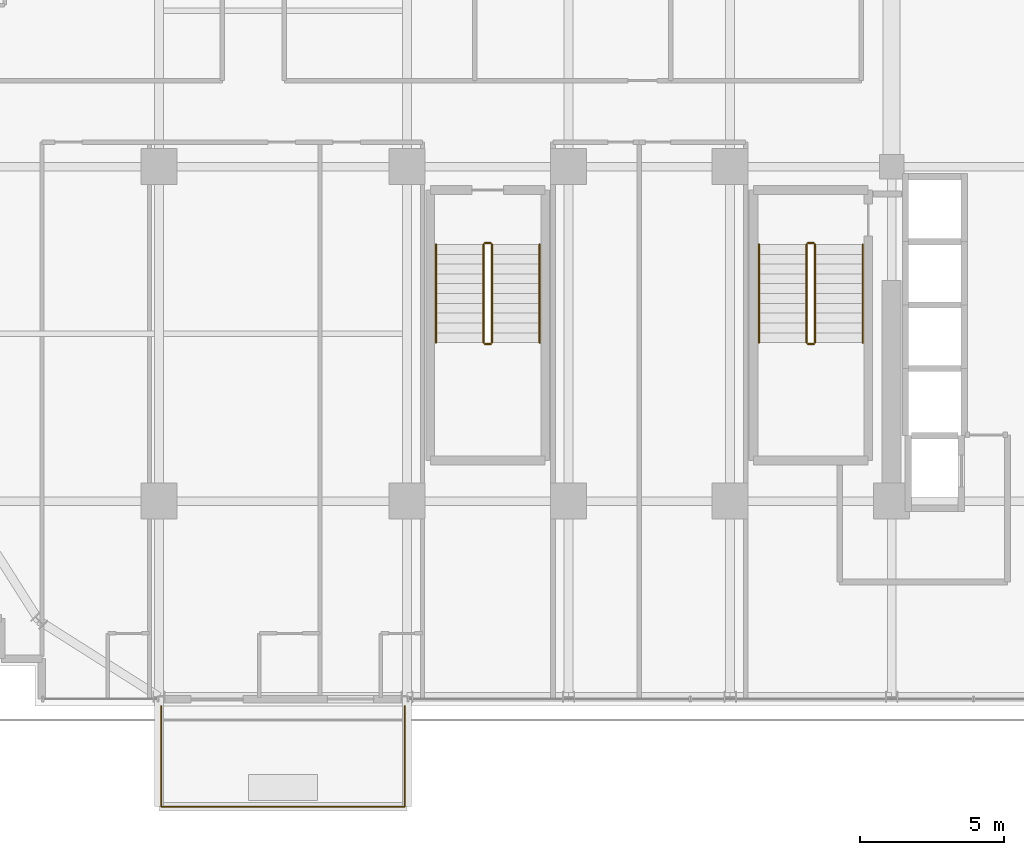
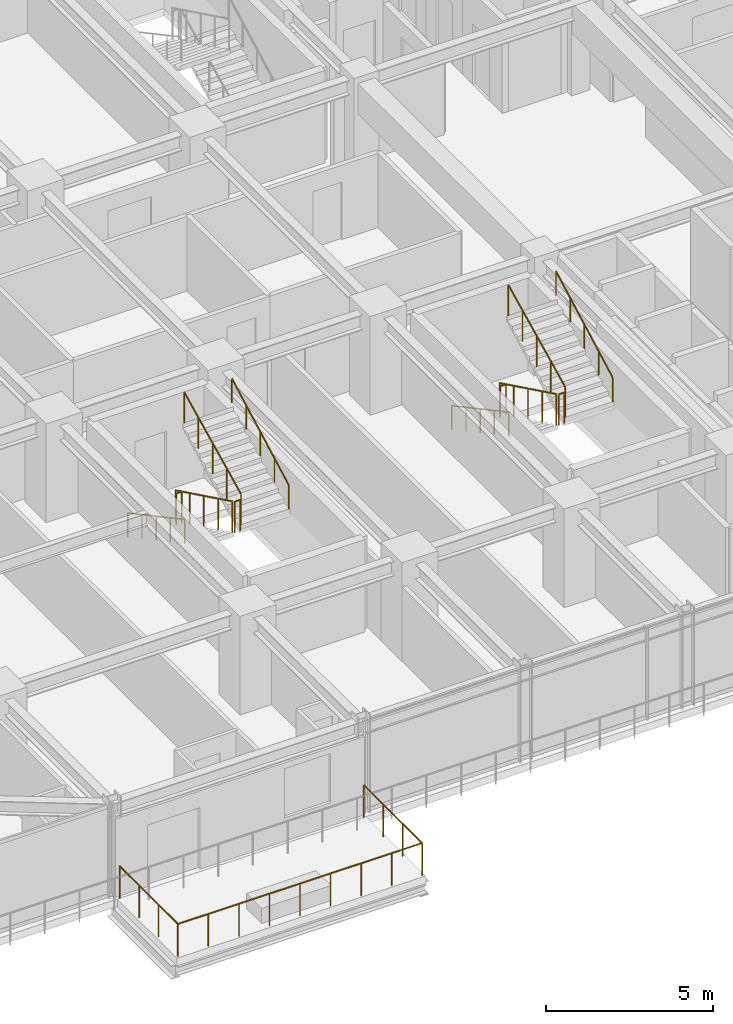
# One storey, part 31 of 34: 13 railings.
"""IFC4 building model written with IfcOpenShell, lengths in metres."""

from ifc_helpers import new_model, si_unit, direction, frame, origin, origin_2d, place, context, subcontext, project, spatial, circle, extrude, material, type_object, element, save


model = new_model("IFC4")

# Units and contexts
model_context = context("Model", 3, precision=1e-05, world=origin(), true_north=direction((0.0, 1.0)))
body_context = subcontext(model_context, "Body", "Model", "MODEL_VIEW")
ifc_project = project(units=[si_unit("LENGTHUNIT", "METRE"), si_unit("AREAUNIT", "SQUARE_METRE"), si_unit("VOLUMEUNIT", "CUBIC_METRE"), si_unit("PLANEANGLEUNIT", "RADIAN"), si_unit("MASSUNIT", "GRAM", prefix="KILO")], contexts=[model_context])

# Site, building, storey
site_placement = place(None, origin())
site = spatial("IfcSite", under=ifc_project, at=site_placement, CompositionType="ELEMENT")
building_placement = place(site_placement, origin())
building = spatial("IfcBuilding", under=site, at=building_placement, Name="Nahalor Promenade Grand Hotel", CompositionType="ELEMENT")
storey_placement = place(building_placement, frame((0.0, 0.0, 88.300048828125)))
storey = spatial("IfcBuildingStorey", under=building, at=storey_placement, Name="L21", CompositionType="ELEMENT", Elevation=88.300048828125)

# Railings
ifc_material_1 = material(Name="Anodised Bronze Aluminium EN AW-6063 T6", Category="aluminium")
railing_type_1 = type_object("IfcRailingType", Name="Bronze Balcony Guardrail 1200 mm", PredefinedType="GUARDRAIL", material=ifc_material_1)
railing_1_placement = place(storey_placement, frame((-16.919921875, -24.10009765625, 0.0)))
element("IfcRailing", 1, at=railing_1_placement, inside=storey, type_object=railing_type_1, Name="L21 Balcony Guardrail 1", PredefinedType="GUARDRAIL", context=body_context, shape_type="SweptSolid", body=[
    extrude(circle(Radius=0.024048, at=origin_2d()), frame((0.0, 0.0, 1.17578125), z_axis=(0.0, -1.0, 0.0), x_axis=(1.0, 0.0, 0.0)), (0.0, 0.0, 1.0), 3.488037109375),
    extrude(circle(Radius=0.024048, at=origin_2d()), frame((0.001953125, -3.489990234375, 1.17578125), z_axis=(1.0, 0.0, 0.0), x_axis=(0.0, 1.0, 0.0)), (0.0, 0.0, 1.0), 8.43603515625),
    extrude(circle(Radius=0.024048, at=origin_2d()), frame((8.43994140625, -3.488037109375, 1.17578125), z_axis=(0.0, 1.0, 0.0), x_axis=(-1.0, 0.0, 0.0)), (0.0, 0.0, 1.0), 3.488037109375),
    extrude(circle(Radius=0.020996, at=origin_2d()), origin(), (0.0, 0.0, 1.0), 1.14990234375),
    extrude(circle(Radius=0.020996, at=origin_2d()), frame((0.0, -1.163330078125, 0.0)), (0.0, 0.0, 1.0), 1.14990234375),
    extrude(circle(Radius=0.020996, at=origin_2d()), frame((0.0, -2.32666015625, 0.0)), (0.0, 0.0, 1.0), 1.14990234375),
    extrude(circle(Radius=0.020996, at=origin_2d()), frame((0.0, -3.489990234375, 0.0)), (0.0, 0.0, 1.0), 1.14990234375),
    extrude(circle(Radius=0.020996, at=origin_2d()), frame((1.054931640625, -3.489990234375, 0.0)), (0.0, 0.0, 1.0), 1.14990234375),
    extrude(circle(Radius=0.020996, at=origin_2d()), frame((2.10986328125, -3.489990234375, 0.0)), (0.0, 0.0, 1.0), 1.14990234375),
    extrude(circle(Radius=0.020996, at=origin_2d()), frame((3.1650390625, -3.489990234375, 0.0)), (0.0, 0.0, 1.0), 1.14990234375),
    extrude(circle(Radius=0.020996, at=origin_2d()), frame((4.219970703125, -3.489990234375, 0.0)), (0.0, 0.0, 1.0), 1.14990234375),
    extrude(circle(Radius=0.020996, at=origin_2d()), frame((5.27490234375, -3.489990234375, 0.0)), (0.0, 0.0, 1.0), 1.14990234375),
    extrude(circle(Radius=0.020996, at=origin_2d()), frame((6.330078125, -3.489990234375, 0.0)), (0.0, 0.0, 1.0), 1.14990234375),
    extrude(circle(Radius=0.020996, at=origin_2d()), frame((7.385009765625, -3.489990234375, 0.0)), (0.0, 0.0, 1.0), 1.14990234375),
    extrude(circle(Radius=0.020996, at=origin_2d()), frame((8.43994140625, -3.489990234375, 0.0)), (0.0, 0.0, 1.0), 1.14990234375),
    extrude(circle(Radius=0.020996, at=origin_2d()), frame((8.43994140625, -2.32666015625, 0.0)), (0.0, 0.0, 1.0), 1.14990234375),
    extrude(circle(Radius=0.020996, at=origin_2d()), frame((8.43994140625, -1.163330078125, 0.0)), (0.0, 0.0, 1.0), 1.14990234375),
    extrude(circle(Radius=0.020996, at=origin_2d()), frame((8.43994140625, 0.0, 0.0)), (0.0, 0.0, 1.0), 1.14990234375),
])
ifc_material_2 = material(Name="Steel S355JR", Category="steel")
railing_type_2 = type_object("IfcRailingType", Name="Steel Stair Guardrail 1150 mm", PredefinedType="GUARDRAIL", material=ifc_material_2)
railing_2_placement = place(storey_placement, frame((5.449951171875, -8.10009765625, 0.165771484375)))
element("IfcRailing", 2, at=railing_2_placement, inside=storey, type_object=railing_type_2, Name="L21 ST2 stair guard 1", PredefinedType="GUARDRAIL", context=body_context, shape_type="SweptSolid", body=[
    extrude(circle(Radius=0.024048, at=origin_2d()), frame((0.0, 0.0, 1.1259765625), z_axis=(0.0, -0.898696488221, 0.438571114028), x_axis=(1.0, 0.0, 0.0)), (0.0, 0.0, 1.0), 3.783203125),
    extrude(circle(Radius=0.020996, at=origin_2d()), origin(), (0.0, 0.0, 1.0), 1.099853515625),
    extrude(circle(Radius=0.020996, at=origin_2d()), frame((0.0, -0.85009765625, 0.414794921875)), (0.0, 0.0, 1.0), 1.099853515625),
    extrude(circle(Radius=0.020996, at=origin_2d()), frame((0.0, -1.699951171875, 0.82958984375)), (0.0, 0.0, 1.0), 1.099853515625),
    extrude(circle(Radius=0.020996, at=origin_2d()), frame((0.0, -2.5498046875, 1.244384765625)), (0.0, 0.0, 1.0), 1.099853515625),
    extrude(circle(Radius=0.020996, at=origin_2d()), frame((0.0, -3.39990234375, 1.6591796875)), (0.0, 0.0, 1.0), 1.099853515625),
])
railing_3_placement = place(storey_placement, frame((5.5, -11.550048828125, 1.824951171875)))
element("IfcRailing", 3, at=railing_3_placement, inside=storey, type_object=railing_type_2, Name="L21 ST2 stair guard 2", PredefinedType="GUARDRAIL", context=body_context, shape_type="SweptSolid", body=[
    extrude(circle(Radius=0.024048, at=origin_2d()), frame((0.0, 0.0, 1.1259765625), z_axis=(1.0, 0.0, 0.0), x_axis=(0.0, 1.0, 0.0)), (0.0, 0.0, 1.0), 0.199951171875),
    extrude(circle(Radius=0.020996, at=origin_2d()), origin(), (0.0, 0.0, 1.0), 1.099853515625),
    extrude(circle(Radius=0.020996, at=origin_2d()), frame((0.199951171875, 0.0, 0.0)), (0.0, 0.0, 1.0), 1.099853515625),
])
railing_4_placement = place(storey_placement, frame((5.75, -11.5, 1.990966796875)))
element("IfcRailing", 4, at=railing_4_placement, inside=storey, type_object=railing_type_2, Name="L21 ST2 stair guard 3", PredefinedType="GUARDRAIL", context=body_context, shape_type="SweptSolid", body=[
    extrude(circle(Radius=0.024048, at=origin_2d()), frame((0.0, 0.0, 1.1259765625), z_axis=(0.0, 0.898721922897, 0.438518990814), x_axis=(-1.0, 0.0, 0.0)), (0.0, 0.0, 1.0), 3.782958984375),
    extrude(circle(Radius=0.020996, at=origin_2d()), origin(), (0.0, 0.0, 1.0), 1.099853515625),
    extrude(circle(Radius=0.020996, at=origin_2d()), frame((0.0, 0.85009765625, 0.414794921875)), (0.0, 0.0, 1.0), 1.099853515625),
    extrude(circle(Radius=0.020996, at=origin_2d()), frame((0.0, 1.699951171875, 0.82958984375)), (0.0, 0.0, 1.0), 1.099853515625),
    extrude(circle(Radius=0.020996, at=origin_2d()), frame((0.0, 2.5498046875, 1.244140625)), (0.0, 0.0, 1.0), 1.099853515625),
    extrude(circle(Radius=0.020996, at=origin_2d()), frame((0.0, 3.39990234375, 1.658935546875)), (0.0, 0.0, 1.0), 1.099853515625),
])
railing_5_placement = place(storey_placement, frame((5.5, -8.050048828125, 0.0)))
element("IfcRailing", 5, at=railing_5_placement, inside=storey, type_object=railing_type_2, Name="L21 ST2 stair guard 4", PredefinedType="GUARDRAIL", context=body_context, shape_type="SweptSolid", body=[
    extrude(circle(Radius=0.024048, at=origin_2d()), frame((0.0, 0.0, 1.1259765625), z_axis=(1.0, 0.0, 0.0), x_axis=(0.0, 1.0, 0.0)), (0.0, 0.0, 1.0), 0.199951171875),
    extrude(circle(Radius=0.020996, at=origin_2d()), origin(), (0.0, 0.0, 1.0), 1.099853515625),
    extrude(circle(Radius=0.020996, at=origin_2d()), frame((0.199951171875, 0.0, 0.0)), (0.0, 0.0, 1.0), 1.099853515625),
])
railing_6_placement = place(storey_placement, frame((-5.75, -8.10009765625, 0.165771484375)))
element("IfcRailing", 6, at=railing_6_placement, inside=storey, type_object=railing_type_2, Name="L21 ST3 stair guard 1", PredefinedType="GUARDRAIL", context=body_context, shape_type="SweptSolid", body=[
    extrude(circle(Radius=0.024048, at=origin_2d()), frame((0.0, 0.0, 1.1259765625), z_axis=(0.0, -0.898696488221, 0.438571114028), x_axis=(1.0, 0.0, 0.0)), (0.0, 0.0, 1.0), 3.783203125),
    extrude(circle(Radius=0.020996, at=origin_2d()), origin(), (0.0, 0.0, 1.0), 1.099853515625),
    extrude(circle(Radius=0.020996, at=origin_2d()), frame((0.0, -0.85009765625, 0.414794921875)), (0.0, 0.0, 1.0), 1.099853515625),
    extrude(circle(Radius=0.020996, at=origin_2d()), frame((0.0, -1.699951171875, 0.82958984375)), (0.0, 0.0, 1.0), 1.099853515625),
    extrude(circle(Radius=0.020996, at=origin_2d()), frame((0.0, -2.5498046875, 1.244384765625)), (0.0, 0.0, 1.0), 1.099853515625),
    extrude(circle(Radius=0.020996, at=origin_2d()), frame((0.0, -3.39990234375, 1.6591796875)), (0.0, 0.0, 1.0), 1.099853515625),
])
railing_7_placement = place(storey_placement, frame((-5.699951171875, -11.550048828125, 1.824951171875)))
element("IfcRailing", 7, at=railing_7_placement, inside=storey, type_object=railing_type_2, Name="L21 ST3 stair guard 2", PredefinedType="GUARDRAIL", context=body_context, shape_type="SweptSolid", body=[
    extrude(circle(Radius=0.024048, at=origin_2d()), frame((0.0, 0.0, 1.1259765625), z_axis=(1.0, 0.0, 0.0), x_axis=(0.0, 1.0, 0.0)), (0.0, 0.0, 1.0), 0.199951171875),
    extrude(circle(Radius=0.020996, at=origin_2d()), origin(), (0.0, 0.0, 1.0), 1.099853515625),
    extrude(circle(Radius=0.020996, at=origin_2d()), frame((0.199951171875, 0.0, 0.0)), (0.0, 0.0, 1.0), 1.099853515625),
])
railing_8_placement = place(storey_placement, frame((-5.449951171875, -11.5, 1.990966796875)))
element("IfcRailing", 8, at=railing_8_placement, inside=storey, type_object=railing_type_2, Name="L21 ST3 stair guard 3", PredefinedType="GUARDRAIL", context=body_context, shape_type="SweptSolid", body=[
    extrude(circle(Radius=0.024048, at=origin_2d()), frame((0.0, 0.0, 1.1259765625), z_axis=(0.0, 0.898721922897, 0.438518990814), x_axis=(-1.0, 0.0, 0.0)), (0.0, 0.0, 1.0), 3.782958984375),
    extrude(circle(Radius=0.020996, at=origin_2d()), origin(), (0.0, 0.0, 1.0), 1.099853515625),
    extrude(circle(Radius=0.020996, at=origin_2d()), frame((0.0, 0.85009765625, 0.414794921875)), (0.0, 0.0, 1.0), 1.099853515625),
    extrude(circle(Radius=0.020996, at=origin_2d()), frame((0.0, 1.699951171875, 0.82958984375)), (0.0, 0.0, 1.0), 1.099853515625),
    extrude(circle(Radius=0.020996, at=origin_2d()), frame((0.0, 2.5498046875, 1.244140625)), (0.0, 0.0, 1.0), 1.099853515625),
    extrude(circle(Radius=0.020996, at=origin_2d()), frame((0.0, 3.39990234375, 1.658935546875)), (0.0, 0.0, 1.0), 1.099853515625),
])
railing_9_placement = place(storey_placement, frame((-5.699951171875, -8.050048828125, 0.0)))
element("IfcRailing", 9, at=railing_9_placement, inside=storey, type_object=railing_type_2, Name="L21 ST3 stair guard 4", PredefinedType="GUARDRAIL", context=body_context, shape_type="SweptSolid", body=[
    extrude(circle(Radius=0.024048, at=origin_2d()), frame((0.0, 0.0, 1.1259765625), z_axis=(1.0, 0.0, 0.0), x_axis=(0.0, 1.0, 0.0)), (0.0, 0.0, 1.0), 0.199951171875),
    extrude(circle(Radius=0.020996, at=origin_2d()), origin(), (0.0, 0.0, 1.0), 1.099853515625),
    extrude(circle(Radius=0.020996, at=origin_2d()), frame((0.199951171875, 0.0, 0.0)), (0.0, 0.0, 1.0), 1.099853515625),
])
railing_type_3 = type_object("IfcRailingType", Name="Steel Stair Handrail 900 mm", PredefinedType="HANDRAIL", material=ifc_material_2)
railing_10_placement = place(storey_placement, frame((3.800048828125, -8.10009765625, 0.165771484375)))
element("IfcRailing", 10, at=railing_10_placement, inside=storey, type_object=railing_type_3, Name="L21 ST2 stair handrail 1", PredefinedType="HANDRAIL", context=body_context, shape_type="SweptSolid", body=[
    extrude(circle(Radius=0.024048, at=origin_2d()), frame((0.0, 0.0, 0.8759765625), z_axis=(0.0, -0.881067672671, 0.472990228413), x_axis=(1.0, 0.0, 0.0)), (0.0, 0.0, 1.0), 3.85888671875),
    extrude(circle(Radius=0.020996, at=origin_2d()), origin(), (0.0, 0.0, 1.0), 0.849853515625),
    extrude(circle(Radius=0.020996, at=origin_2d()), frame((0.0, -0.85009765625, 0.456298828125)), (0.0, 0.0, 1.0), 0.849853515625),
    extrude(circle(Radius=0.020996, at=origin_2d()), frame((0.0, -1.699951171875, 0.91259765625)), (0.0, 0.0, 1.0), 0.849853515625),
    extrude(circle(Radius=0.020996, at=origin_2d()), frame((0.0, -2.5498046875, 1.368896484375)), (0.0, 0.0, 1.0), 0.849853515625),
    extrude(circle(Radius=0.020996, at=origin_2d()), frame((0.0, -3.39990234375, 1.8251953125)), (0.0, 0.0, 1.0), 0.849853515625),
])
railing_11_placement = place(storey_placement, frame((7.39990234375, -11.5, 1.990966796875)))
element("IfcRailing", 11, at=railing_11_placement, inside=storey, type_object=railing_type_3, Name="L21 ST2 stair handrail 2", PredefinedType="HANDRAIL", context=body_context, shape_type="SweptSolid", body=[
    extrude(circle(Radius=0.024048, at=origin_2d()), frame((0.0, 0.0, 0.8759765625), z_axis=(0.0, 0.881094038095, 0.47294111265), x_axis=(-1.0, 0.0, 0.0)), (0.0, 0.0, 1.0), 3.858642578125),
    extrude(circle(Radius=0.020996, at=origin_2d()), origin(), (0.0, 0.0, 1.0), 0.849853515625),
    extrude(circle(Radius=0.020996, at=origin_2d()), frame((0.0, 0.85009765625, 0.456298828125)), (0.0, 0.0, 1.0), 0.849853515625),
    extrude(circle(Radius=0.020996, at=origin_2d()), frame((0.0, 1.699951171875, 0.91259765625)), (0.0, 0.0, 1.0), 0.849853515625),
    extrude(circle(Radius=0.020996, at=origin_2d()), frame((0.0, 2.5498046875, 1.36865234375)), (0.0, 0.0, 1.0), 0.849853515625),
    extrude(circle(Radius=0.020996, at=origin_2d()), frame((0.0, 3.39990234375, 1.824951171875)), (0.0, 0.0, 1.0), 0.849853515625),
])
railing_12_placement = place(storey_placement, frame((-7.39990234375, -8.10009765625, 0.165771484375)))
element("IfcRailing", 12, at=railing_12_placement, inside=storey, type_object=railing_type_3, Name="L21 ST3 stair handrail 1", PredefinedType="HANDRAIL", context=body_context, shape_type="SweptSolid", body=[
    extrude(circle(Radius=0.024048, at=origin_2d()), frame((0.0, 0.0, 0.8759765625), z_axis=(0.0, -0.881067672671, 0.472990228413), x_axis=(1.0, 0.0, 0.0)), (0.0, 0.0, 1.0), 3.85888671875),
    extrude(circle(Radius=0.020996, at=origin_2d()), origin(), (0.0, 0.0, 1.0), 0.849853515625),
    extrude(circle(Radius=0.020996, at=origin_2d()), frame((0.0, -0.85009765625, 0.456298828125)), (0.0, 0.0, 1.0), 0.849853515625),
    extrude(circle(Radius=0.020996, at=origin_2d()), frame((0.0, -1.699951171875, 0.91259765625)), (0.0, 0.0, 1.0), 0.849853515625),
    extrude(circle(Radius=0.020996, at=origin_2d()), frame((0.0, -2.5498046875, 1.368896484375)), (0.0, 0.0, 1.0), 0.849853515625),
    extrude(circle(Radius=0.020996, at=origin_2d()), frame((0.0, -3.39990234375, 1.8251953125)), (0.0, 0.0, 1.0), 0.849853515625),
])
railing_13_placement = place(storey_placement, frame((-3.800048828125, -11.5, 1.990966796875)))
element("IfcRailing", 13, at=railing_13_placement, inside=storey, type_object=railing_type_3, Name="L21 ST3 stair handrail 2", PredefinedType="HANDRAIL", context=body_context, shape_type="SweptSolid", body=[
    extrude(circle(Radius=0.024048, at=origin_2d()), frame((0.0, 0.0, 0.8759765625), z_axis=(0.0, 0.881094038095, 0.47294111265), x_axis=(-1.0, 0.0, 0.0)), (0.0, 0.0, 1.0), 3.858642578125),
    extrude(circle(Radius=0.020996, at=origin_2d()), origin(), (0.0, 0.0, 1.0), 0.849853515625),
    extrude(circle(Radius=0.020996, at=origin_2d()), frame((0.0, 0.85009765625, 0.456298828125)), (0.0, 0.0, 1.0), 0.849853515625),
    extrude(circle(Radius=0.020996, at=origin_2d()), frame((0.0, 1.699951171875, 0.91259765625)), (0.0, 0.0, 1.0), 0.849853515625),
    extrude(circle(Radius=0.020996, at=origin_2d()), frame((0.0, 2.5498046875, 1.36865234375)), (0.0, 0.0, 1.0), 0.849853515625),
    extrude(circle(Radius=0.020996, at=origin_2d()), frame((0.0, 3.39990234375, 1.824951171875)), (0.0, 0.0, 1.0), 0.849853515625),
])

save(model, "model.ifc")
